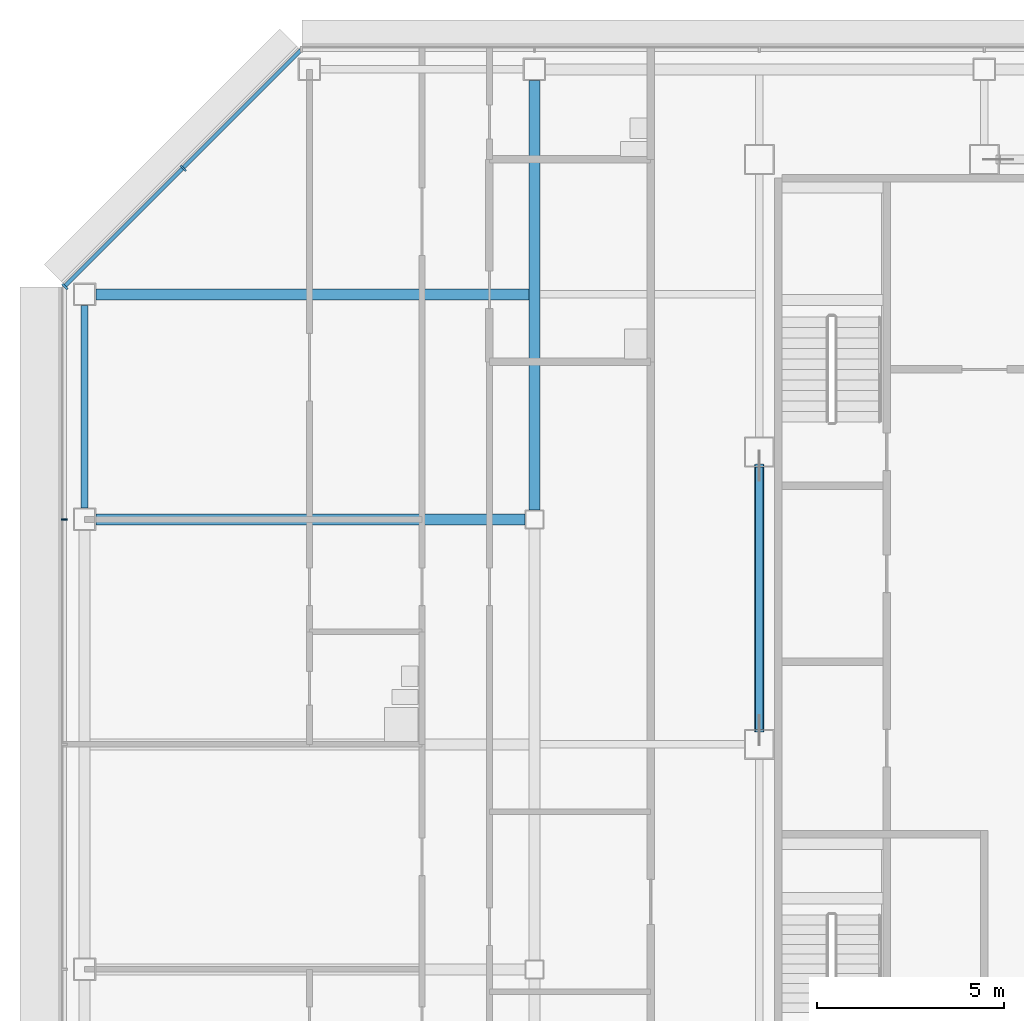
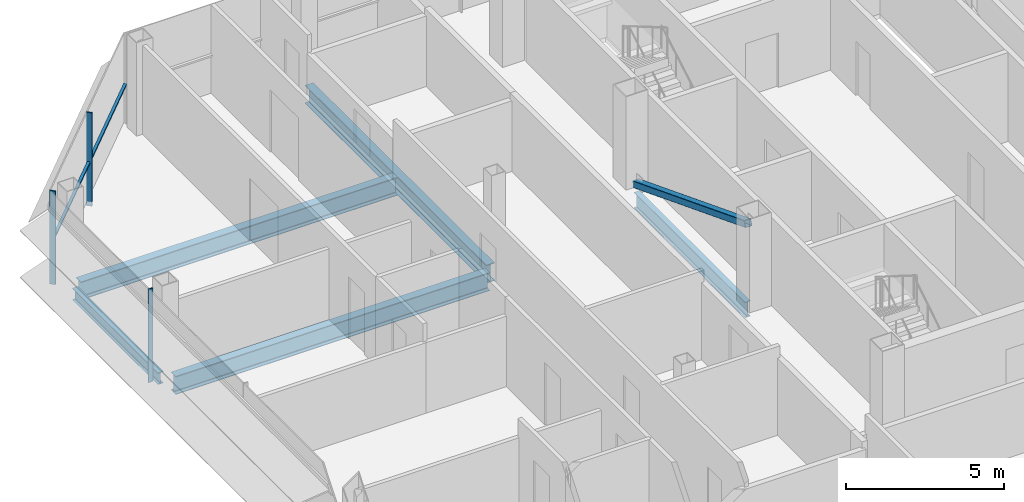
# One storey, part 12 of 28: 5 beams, 5 members, 2 elements without a shape of their own.
"""IFC4 building model written with IfcOpenShell, lengths in metres."""

from ifc_helpers import new_model, si_unit, direction, frame, origin, origin_2d, place, context, subcontext, project, spatial, rectangle, hollow_rectangle, i_section, extrude, material, material_profile, profile_set, type_object, element, aggregate, save


model = new_model("IFC4")

# Units and contexts
model_context = context("Model", 3, precision=1e-05, world=origin(), true_north=direction((0.0, 1.0)))
body_context = subcontext(model_context, "Body", "Model", "MODEL_VIEW")
ifc_project = project(units=[si_unit("LENGTHUNIT", "METRE"), si_unit("AREAUNIT", "SQUARE_METRE"), si_unit("VOLUMEUNIT", "CUBIC_METRE"), si_unit("PLANEANGLEUNIT", "RADIAN"), si_unit("MASSUNIT", "GRAM", prefix="KILO")], contexts=[model_context])

# Site, building, storey
site_placement = place(None, origin())
site = spatial("IfcSite", under=ifc_project, at=site_placement, CompositionType="ELEMENT")
building_placement = place(site_placement, origin())
building = spatial("IfcBuilding", under=site, at=building_placement, Name="Sorahane Residences", CompositionType="ELEMENT")
storey_placement = place(building_placement, frame((0.0, 0.0, 266.60009765625)))
storey = spatial("IfcBuildingStorey", under=building, at=storey_placement, Name="L63", CompositionType="ELEMENT", Elevation=266.60009765625)

# Member
ifc_material_1 = material(Name="Steel Q355B", Category="steel")
ifc_material_profile_1 = material_profile(ifc_material_1, hollow_rectangle(XDim=0.25, YDim=0.25, WallThickness=0.013916015625, InnerFilletRadius=0.007080078125, OuterFilletRadius=0.02099609375, at=origin_2d()), Name="RHS 250x250x14")
ifc_profile_set_1 = profile_set([ifc_material_profile_1], Name="Steel Q355B")
member_type_1 = type_object("IfcMemberType", Name="Core brace RHS 250x250x14 Q355B", PredefinedType="BRACE", material=ifc_profile_set_1)
member_1_placement = place(storey_placement, frame((6.0, 37.42724609375, 0.1142578125), z_axis=(0.0, -0.932102104456, 0.362195619617), x_axis=(1.0, 0.0, 0.0)))
element("IfcMember", 1, at=member_1_placement, inside=storey, type_object=member_type_1, Name="Core brace L63 x6-2", PredefinedType="BRACE", context=body_context, shape_type="SweptSolid", body=[
    extrude(hollow_rectangle(XDim=0.25, YDim=0.25, WallThickness=0.013916015625, InnerFilletRadius=0.007080078125, OuterFilletRadius=0.02099609375, at=origin_2d()), origin(), (0.0, 0.0, 1.0), 7.568359375),
])

# Curtain wall, member
ifc_material_2 = material(Name="Dark low-e glass and black anodised aluminium", Category="aluminium")
curtain_wall_type_1 = type_object("IfcCurtainWallType", Name="Curtain wall CW-1 Typical unitised wall", PredefinedType="NOTDEFINED", material=ifc_material_2)
curtain_wall_1_placement = place(storey_placement, origin())
curtain_wall_1 = element("IfcCurtainWall", 2, at=curtain_wall_1_placement, inside=storey, type_object=curtain_wall_type_1, Name="CW-1 curtain wall L63 W1", PredefinedType="NOTDEFINED")
ifc_material_3 = material(Name="Black anodised aluminium", Category="aluminium")
ifc_material_profile_2 = material_profile(ifc_material_3, rectangle(XDim=0.159912109375, YDim=0.050048828125, at=origin_2d()), Name="Curtain wall mullion CW-1 black anodised aluminium 50x160")
ifc_profile_set_2 = profile_set([ifc_material_profile_2], Name="Black anodised aluminium")
member_type_2 = type_object("IfcMemberType", Name="Curtain wall mullion CW-1 black anodised aluminium 50x160", PredefinedType="MULLION", material=ifc_profile_set_2)
member_2_placement = place(storey_placement, frame((-12.5400390625, 36.0, -0.18017578125), z_axis=(0.0, 0.0, 1.0), x_axis=(-1.0, 0.0, 0.0)))
member_2 = element("IfcMember", 3, at=member_2_placement, type_object=member_type_2, Name="CW-1 mullion L63 W1.2", PredefinedType="MULLION", context=body_context, shape_type="SweptSolid", body=[
    extrude(rectangle(XDim=0.159912109375, YDim=0.050048828125, at=origin_2d()), origin(), (0.0, 0.0, 1.0), 3.60009765625),
])
aggregate(curtain_wall_1, [member_2])

# Curtain wall, members
ifc_material_4 = material(Name="Dark low-e glass and black anodised aluminium", Category="aluminium")
curtain_wall_type_2 = type_object("IfcCurtainWallType", Name="Curtain wall CW-2 Chamfer unitised wall", PredefinedType="NOTDEFINED", material=ifc_material_4)
curtain_wall_2_placement = place(storey_placement, origin())
curtain_wall_2 = element("IfcCurtainWall", 4, at=curtain_wall_2_placement, inside=storey, type_object=curtain_wall_type_2, Name="CW-2 curtain wall L63 NW1", PredefinedType="NOTDEFINED")
ifc_material_5 = material(Name="Black anodised aluminium", Category="aluminium")
ifc_material_profile_3 = material_profile(ifc_material_5, rectangle(XDim=0.199951171875, YDim=0.050048828125, at=origin_2d()), Name="Curtain wall mullion CW-2 black anodised aluminium 50x200")
ifc_profile_set_3 = profile_set([ifc_material_profile_3], Name="Black anodised aluminium")
member_type_3 = type_object("IfcMemberType", Name="Curtain wall mullion CW-2 black anodised aluminium 50x200", PredefinedType="MULLION", material=ifc_profile_set_3)
member_3_placement = place(storey_placement, frame((-9.36767578125, 45.36767578125, -0.18017578125), z_axis=(0.0, 0.0, 1.0), x_axis=(-0.707106781187, 0.707106781187, 0.0)))
member_3 = element("IfcMember", 5, at=member_3_placement, type_object=member_type_3, Name="CW-2 mullion L63 NW1.2", PredefinedType="MULLION", context=body_context, shape_type="SweptSolid", body=[
    extrude(rectangle(XDim=0.199951171875, YDim=0.050048828125, at=origin_2d()), origin(), (0.0, 0.0, 1.0), 3.60009765625),
])
member_4_placement = place(storey_placement, frame((-12.525634765625, 42.209716796875, -0.18017578125), z_axis=(0.0, 0.0, 1.0), x_axis=(-0.707106781187, 0.707106781187, 0.0)))
member_4 = element("IfcMember", 6, at=member_4_placement, type_object=member_type_3, Name="CW-2 mullion L63 NW1.3", PredefinedType="MULLION", context=body_context, shape_type="SweptSolid", body=[
    extrude(rectangle(XDim=0.199951171875, YDim=0.050048828125, at=origin_2d()), origin(), (0.0, 0.0, 1.0), 3.60009765625),
])
ifc_material_6 = material(Name="Black anodised aluminium", Category="aluminium")
ifc_material_profile_4 = material_profile(ifc_material_6, rectangle(XDim=0.10009765625, YDim=0.06005859375, at=origin_2d()), Name="Curtain wall transom CW-2 black anodised aluminium 60x100")
ifc_profile_set_4 = profile_set([ifc_material_profile_4], Name="Black anodised aluminium")
member_type_4 = type_object("IfcMemberType", Name="Curtain wall transom CW-2 black anodised aluminium 60x100", PredefinedType="USERDEFINED", material=ifc_profile_set_4)
member_5_placement = place(storey_placement, frame((-6.234375, 48.51513671875, 1.5), z_axis=(-0.707106781187, -0.707106781187, 0.0), x_axis=(0.707106781187, -0.707106781187, 0.0)))
member_5 = element("IfcMember", 7, at=member_5_placement, type_object=member_type_4, Name="CW-2 transom L63 NW1", ObjectType="TRANSOM", PredefinedType="USERDEFINED", context=body_context, shape_type="SweptSolid", body=[
    extrude(rectangle(XDim=0.10009765625, YDim=0.06005859375, at=origin_2d()), origin(), (0.0, 0.0, 1.0), 8.88232421875),
])
aggregate(curtain_wall_2, [member_3, member_4, member_5])

# Beams
ifc_material_7 = material(Name="Steel Q355B", Category="steel")
ifc_material_profile_5 = material_profile(ifc_material_7, i_section(OverallWidth=0.199951171875, OverallDepth=0.449951171875, WebThickness=0.009033203125, FlangeThickness=0.013916015625, FilletRadius=0.02001953125, at=origin_2d()), Name="HN 450x200x9x14")
ifc_profile_set_5 = profile_set([ifc_material_profile_5], Name="Steel Q355B")
beam_type_1 = type_object("IfcBeamType", Name="Steel floor beam HN 450x200x9x14 Q355B", PredefinedType="BEAM", material=ifc_profile_set_5)
beam_1_placement = place(storey_placement, frame((-12.0, 36.300048828125, -0.405029296875), z_axis=(0.0, 1.0, 0.0), x_axis=(-1.0, 0.0, 0.0)))
element("IfcBeam", 8, at=beam_1_placement, inside=storey, type_object=beam_type_1, Name="Beam L63 023", PredefinedType="BEAM", context=body_context, shape_type="SweptSolid", body=[
    extrude(i_section(OverallWidth=0.199951171875, OverallDepth=0.449951171875, WebThickness=0.009033203125, FlangeThickness=0.013916015625, FilletRadius=0.02001953125, at=origin_2d()), origin(), (0.0, 0.0, 1.0), 5.39990234375),
])
ifc_material_8 = material(Name="Steel Q355B", Category="steel")
ifc_material_profile_6 = material_profile(ifc_material_8, i_section(OverallWidth=0.199951171875, OverallDepth=0.60009765625, WebThickness=0.010986328125, FlangeThickness=0.01708984375, FilletRadius=0.02392578125, at=origin_2d()), Name="HN 600x200x11x17")
ifc_profile_set_6 = profile_set([ifc_material_profile_6], Name="Steel Q355B")
beam_type_2 = type_object("IfcBeamType", Name="Steel floor beam HN 600x200x11x17 Q355B", PredefinedType="BEAM", material=ifc_profile_set_6)
beam_2_placement = place(storey_placement, frame((6.0, 30.39990234375, -0.47998046875), z_axis=(0.0, 1.0, 0.0), x_axis=(-1.0, 0.0, 0.0)))
element("IfcBeam", 9, at=beam_2_placement, inside=storey, type_object=beam_type_2, Name="Beam L63 031", PredefinedType="BEAM", context=body_context, shape_type="SweptSolid", body=[
    extrude(i_section(OverallWidth=0.199951171875, OverallDepth=0.60009765625, WebThickness=0.010986328125, FlangeThickness=0.01708984375, FilletRadius=0.02392578125, at=origin_2d()), origin(), (0.0, 0.0, 1.0), 7.0),
])
ifc_material_9 = material(Name="Steel Q355B", Category="steel")
ifc_material_profile_7 = material_profile(ifc_material_9, i_section(OverallWidth=0.300048828125, OverallDepth=0.699951171875, WebThickness=0.012939453125, FlangeThickness=0.02392578125, FilletRadius=0.028076171875, at=origin_2d()), Name="HN 700x300x13x24")
ifc_profile_set_7 = profile_set([ifc_material_profile_7], Name="Steel Q355B")
beam_type_3 = type_object("IfcBeamType", Name="Steel floor beam HN 700x300x13x24 Q355B", PredefinedType="BEAM", material=ifc_profile_set_7)
for number, where, z_axis, x_axis, name in (
    (10, (-11.699951171875, 36.0, -0.530029296875), (1.0, 0.0, 0.0), (0.0, 1.0, 0.0), "Beam L63 013"),
    (11, (0.0, 36.25, -0.530029296875), (0.0, 1.0, 0.0), (-1.0, 0.0, 0.0), "Beam L63 027"),
):
    element("IfcBeam", number, at=place(storey_placement, frame(where, z_axis=z_axis, x_axis=x_axis)), inside=storey, type_object=beam_type_3, Name=name, PredefinedType="BEAM", context=body_context, shape_type="SweptSolid", body=[
        extrude(i_section(OverallWidth=0.300048828125, OverallDepth=0.699951171875, WebThickness=0.012939453125, FlangeThickness=0.02392578125, FilletRadius=0.028076171875, at=origin_2d()), origin(), (0.0, 0.0, 1.0), 11.449951171875),
    ])
beam_3_placement = place(storey_placement, frame((-11.699951171875, 42.0, -0.530029296875), z_axis=(1.0, 0.0, 0.0), x_axis=(0.0, 1.0, 0.0)))
element("IfcBeam", 12, at=beam_3_placement, inside=storey, type_object=beam_type_3, Name="Beam L63 089", PredefinedType="BEAM", context=body_context, shape_type="SweptSolid", body=[
    extrude(i_section(OverallWidth=0.300048828125, OverallDepth=0.699951171875, WebThickness=0.012939453125, FlangeThickness=0.02392578125, FilletRadius=0.028076171875, at=origin_2d()), origin(), (0.0, 0.0, 1.0), 11.550048828125),
])

save(model, "model.ifc")
